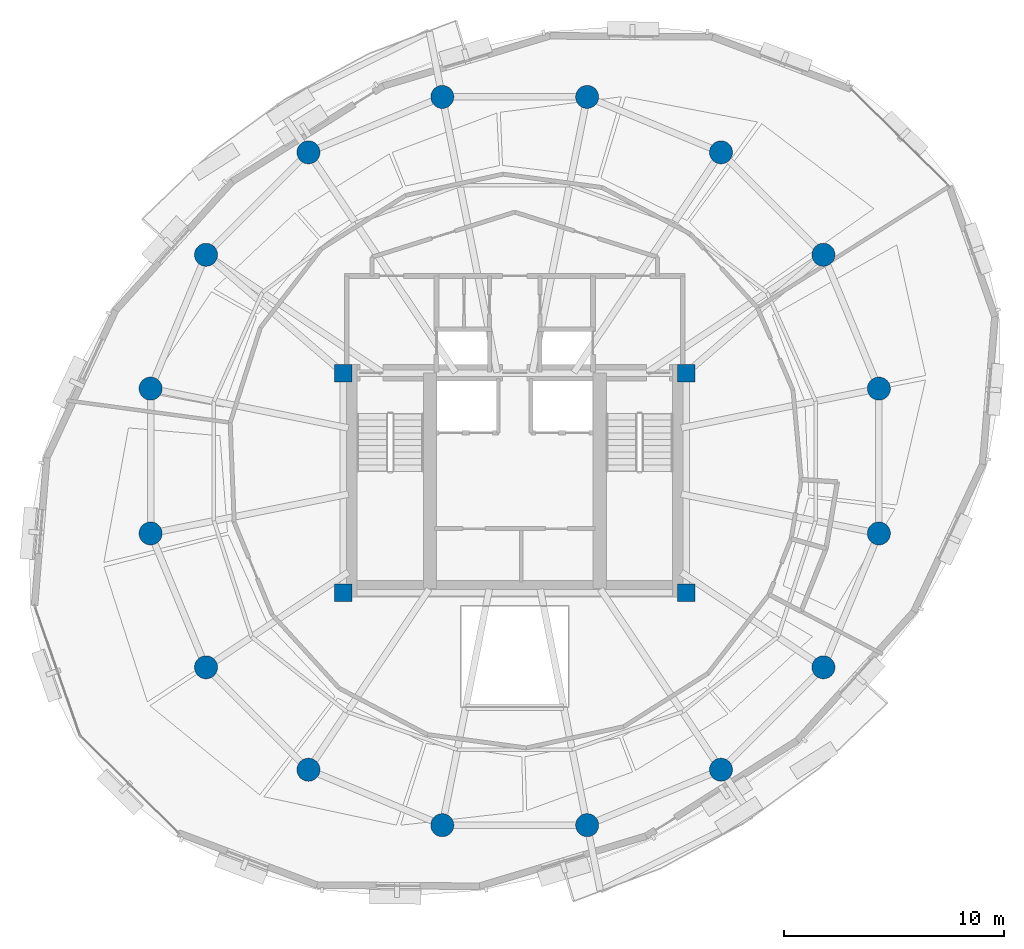
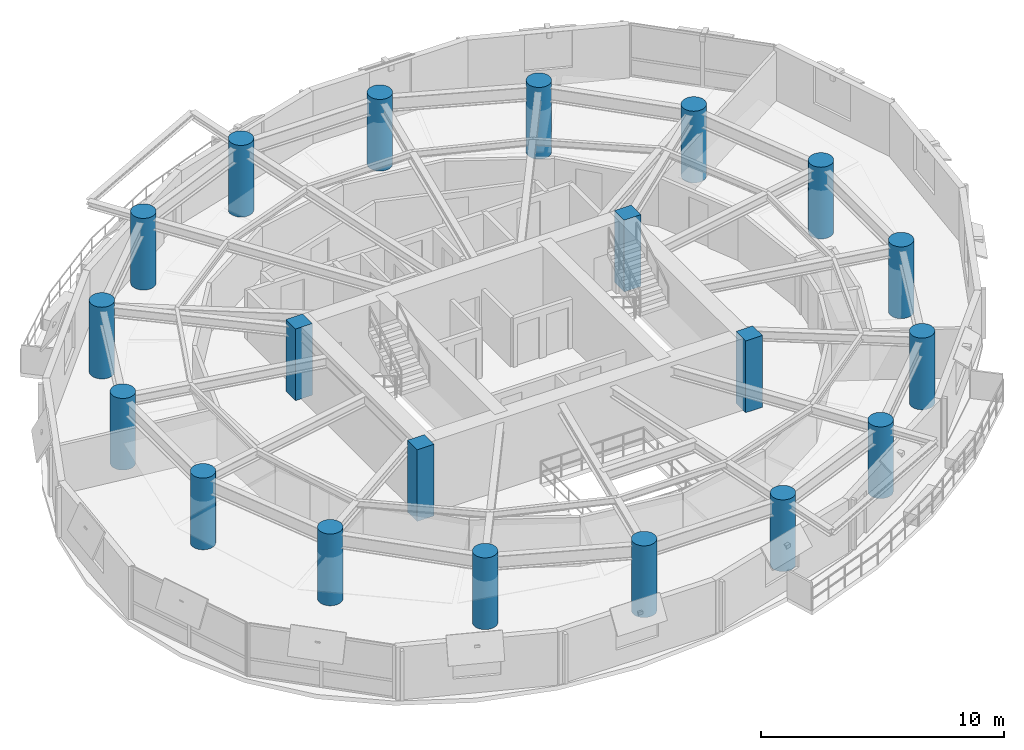
# One storey, part 1 of 12: 20 columns.
"""IFC4 building model written with IfcOpenShell, lengths in metres."""

from ifc_helpers import new_model, si_unit, direction, frame, origin, origin_2d, place, context, subcontext, project, spatial, rectangle, circle, extrude, material, material_profile, profile_set, type_object, element, save


model = new_model("IFC4")

# Units and contexts
model_context = context("Model", 3, precision=1e-05, world=origin(), true_north=direction((0.0, 1.0)))
body_context = subcontext(model_context, "Body", "Model", "MODEL_VIEW")
ifc_project = project(units=[si_unit("LENGTHUNIT", "METRE"), si_unit("AREAUNIT", "SQUARE_METRE"), si_unit("VOLUMEUNIT", "CUBIC_METRE"), si_unit("PLANEANGLEUNIT", "RADIAN"), si_unit("MASSUNIT", "GRAM", prefix="KILO"), si_unit("THERMODYNAMICTEMPERATUREUNIT", "KELVIN"), si_unit("POWERUNIT", "WATT")], contexts=[model_context])

# Site, building, storey
site_placement = place(None, origin())
site = spatial("IfcSite", under=ifc_project, at=site_placement, CompositionType="ELEMENT")
building_placement = place(site_placement, origin())
building = spatial("IfcBuilding", under=site, at=building_placement, Name="Ocrelia Relay Tower", CompositionType="ELEMENT")
storey_placement = place(building_placement, frame((0.0, 0.0, 170.0)))
storey = spatial("IfcBuildingStorey", under=building, at=storey_placement, Name="L40", CompositionType="ELEMENT", Elevation=170.0)

# Columns
ifc_material = material(Name="Concrete C60/75", Category="concrete")
ifc_material_profile_1 = material_profile(ifc_material, circle(Radius=0.52490234375, at=origin_2d()), Name="RC-CIR-1050")
ifc_profile_set_1 = profile_set([ifc_material_profile_1], Name="Concrete C60/75")
column_type_1 = type_object("IfcColumnType", Name="COL-CT-1050", PredefinedType="COLUMN", material=ifc_profile_set_1)
for number, where, z_axis, x_axis, name in (
    (1, (50.5751953125, 29.297119140625, 0.0), (0.0, 0.0, 1.0), (1.0, 0.0, 0.0), "L40 Perimeter Ring Column C01"),
    (2, (48.0517578125, 35.38916015625, 0.0), (0.0, 0.0, 1.0), (1.0, 0.0, 0.0), "L40 Perimeter Ring Column C02"),
    (3, (43.38916015625, 40.0517578125, 0.0), (0.0, 0.0, 1.0), (1.0, 0.0, 0.0), "L40 Perimeter Ring Column C03"),
    (4, (37.297119140625, 42.5751953125, 0.0), (0.0, 0.0, 1.0), (1.0, 0.0, 0.0), "L40 Perimeter Ring Column C04"),
    (5, (30.702880859375, 42.5751953125, 0.0), (0.0, 0.0, 1.0), (1.0, 0.0, 0.0), "L40 Perimeter Ring Column C05"),
    (6, (24.61083984375, 40.0517578125, 0.0), (0.0, 0.0, 1.0), (1.0, 0.0, 0.0), "L40 Perimeter Ring Column C06"),
    (7, (19.9482421875, 35.38916015625, 0.0), (0.0, 0.0, 1.0), (1.0, 0.0, 0.0), "L40 Perimeter Ring Column C07"),
    (8, (17.4248046875, 29.297119140625, 0.0), (0.0, 0.0, 1.0), (1.0, 0.0, 0.0), "L40 Perimeter Ring Column C08"),
    (9, (17.4248046875, 22.702880859375, 0.0), (0.0, 0.0, 1.0), (1.0, 0.0, 0.0), "L40 Perimeter Ring Column C09"),
    (10, (19.9482421875, 16.61083984375, 0.0), (0.0, 0.0, 1.0), (1.0, 0.0, 0.0), "L40 Perimeter Ring Column C10"),
    (11, (24.61083984375, 11.9482421875, 0.0), (0.0, 0.0, 1.0), (1.0, 0.0, 0.0), "L40 Perimeter Ring Column C11"),
    (12, (30.702880859375, 9.4248046875, 0.0), (0.0, 0.0, 1.0), (1.0, 0.0, 0.0), "L40 Perimeter Ring Column C12"),
    (13, (37.297119140625, 9.4248046875, 0.0), (0.0, 0.0, 1.0), (1.0, 0.0, 0.0), "L40 Perimeter Ring Column C13"),
    (14, (43.38916015625, 11.9482421875, 0.0), (0.0, 0.0, 1.0), (1.0, 0.0, 0.0), "L40 Perimeter Ring Column C14"),
    (15, (48.0517578125, 16.61083984375, 0.0), (0.0, 0.0, 1.0), (1.0, 0.0, 0.0), "L40 Perimeter Ring Column C15"),
    (16, (50.5751953125, 22.702880859375, 0.0), (0.0, 0.0, 1.0), (1.0, 0.0, 0.0), "L40 Perimeter Ring Column C16"),
):
    element("IfcColumn", number, at=place(storey_placement, frame(where, z_axis=z_axis, x_axis=x_axis)), inside=storey, type_object=column_type_1, Name=name, PredefinedType="COLUMN", context=body_context, shape_type="SweptSolid", body=[
        extrude(circle(Radius=0.52490234375, at=origin_2d()), origin(), (0.0, 0.0, 1.0), 3.60009765625),
    ])
ifc_material_profile_2 = material_profile(ifc_material, rectangle(XDim=0.800048828125, YDim=0.800048828125, at=origin_2d()), Name="RC-COL-800x800")
ifc_profile_set_2 = profile_set([ifc_material_profile_2], Name="Concrete C60/75")
column_type_2 = type_object("IfcColumnType", Name="COL-PILASTER-800", PredefinedType="PILASTER", material=ifc_profile_set_2)
for number, where, z_axis, x_axis, name in (
    (17, (26.199951171875, 20.0, 0.0), (0.0, 0.0, 1.0), (1.0, 0.0, 0.0), "L40 Core Corner Pilaster SW"),
    (18, (41.800048828125, 20.0, 0.0), (0.0, 0.0, 1.0), (1.0, 0.0, 0.0), "L40 Core Corner Pilaster SE"),
    (19, (26.199951171875, 30.0, 0.0), (0.0, 0.0, 1.0), (1.0, 0.0, 0.0), "L40 Core Corner Pilaster NW"),
    (20, (41.800048828125, 30.0, 0.0), (0.0, 0.0, 1.0), (1.0, 0.0, 0.0), "L40 Core Corner Pilaster NE"),
):
    element("IfcColumn", number, at=place(storey_placement, frame(where, z_axis=z_axis, x_axis=x_axis)), inside=storey, type_object=column_type_2, Name=name, PredefinedType="PILASTER", context=body_context, shape_type="SweptSolid", body=[
        extrude(rectangle(XDim=0.800048828125, YDim=0.800048828125, at=origin_2d()), origin(), (0.0, 0.0, 1.0), 3.60009765625),
    ])

save(model, "model.ifc")
